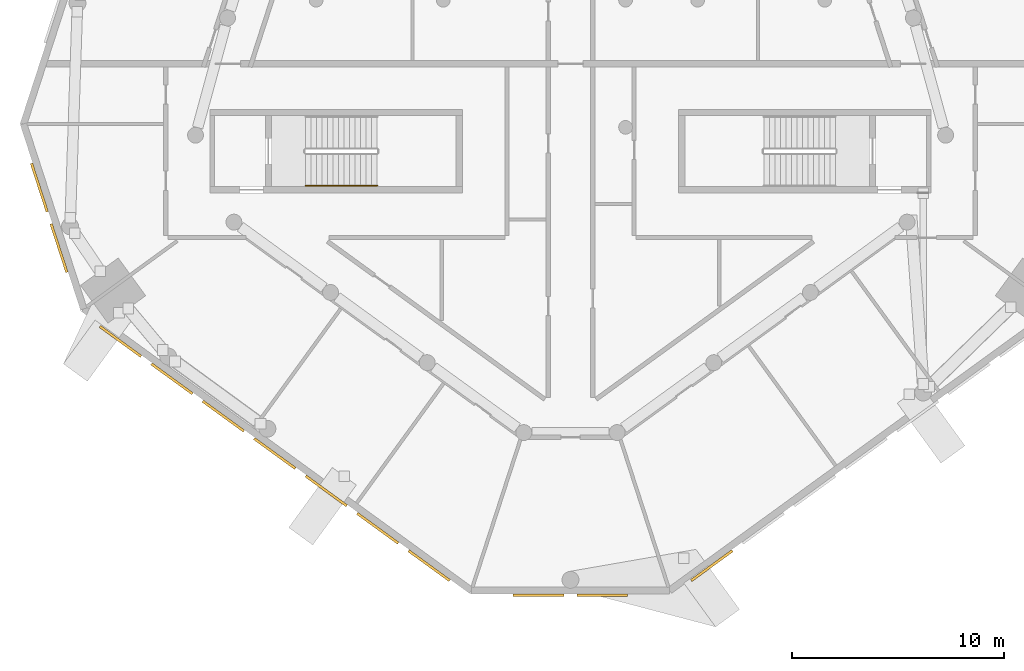
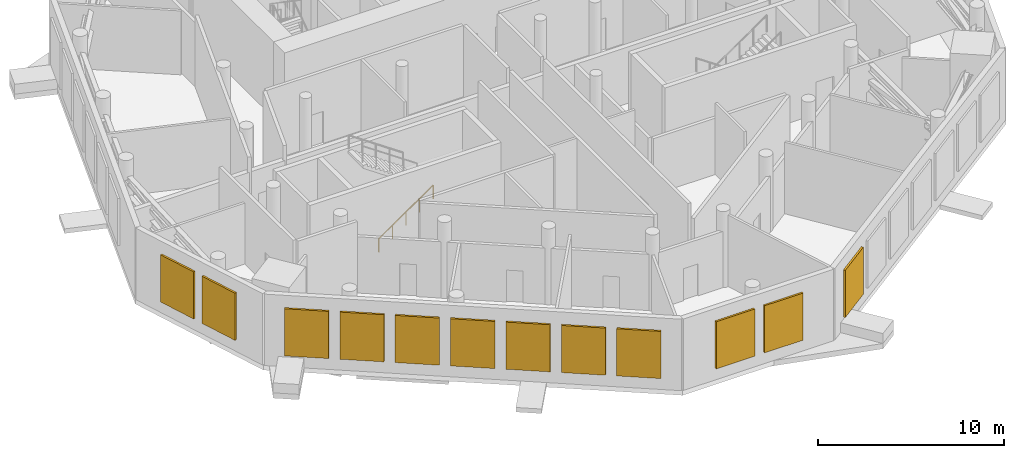
# One storey, part 11 of 15: 12 shading devices, 1 railing.
"""IFC4 building model written with IfcOpenShell, lengths in metres."""

from ifc_helpers import new_model, si_unit, direction, frame, origin, origin_2d, place, context, subcontext, project, spatial, rectangle, circle, extrude, material, type_object, element, save


model = new_model("IFC4")

# Units and contexts
model_context = context("Model", 3, precision=1e-05, world=origin(), true_north=direction((0.0, 1.0)))
body_context = subcontext(model_context, "Body", "Model", "MODEL_VIEW")
ifc_project = project(units=[si_unit("LENGTHUNIT", "METRE"), si_unit("AREAUNIT", "SQUARE_METRE"), si_unit("VOLUMEUNIT", "CUBIC_METRE"), si_unit("PLANEANGLEUNIT", "RADIAN"), si_unit("MASSUNIT", "GRAM", prefix="KILO")], contexts=[model_context])

# Site, building, storey
site_placement = place(None, origin())
site = spatial("IfcSite", under=ifc_project, at=site_placement, CompositionType="ELEMENT")
building_placement = place(site_placement, origin())
building = spatial("IfcBuilding", under=site, at=building_placement, Name="White Candle Pilgrim Tower", CompositionType="ELEMENT")
storey_placement = place(building_placement, frame((0.0, 0.0, 85.800048828125)))
storey = spatial("IfcBuildingStorey", under=building, at=storey_placement, Name="L18", CompositionType="ELEMENT", Elevation=85.800048828125)

# Shading devices
ifc_material_1 = material(Name="Aluminium", Category="aluminium")
shading_device_type = type_object("IfcShadingDeviceType", Name="Plant louvre LV2 2400x3100 aluminium framed", PredefinedType="USERDEFINED", material=ifc_material_1)
for number, where, z_axis, x_axis, name in (
    (1, (44.941650390625, 58.1572265625, 0.7998046875), (0.0, 0.0, 1.0), (0.309016971535, -0.951056523716, 0.0), "Plant louvre L18 W chamfer 1"),
    (2, (45.86865234375, 55.30419921875, 0.7998046875), (0.0, 0.0, 1.0), (0.309016971535, -0.951056523716, 0.0), "Plant louvre L18 W chamfer 2"),
    (3, (48.767822265625, 50.901123046875, 0.7998046875), (0.0, 0.0, 1.0), (0.809016998489, -0.58778524663, 0.0), "Plant louvre L18 SW 1"),
    (4, (51.195068359375, 49.1376953125, 0.7998046875), (0.0, 0.0, 1.0), (0.809016998489, -0.58778524663, 0.0), "Plant louvre L18 SW 2"),
    (5, (53.6220703125, 47.374267578125, 0.7998046875), (0.0, 0.0, 1.0), (0.809016998489, -0.58778524663, 0.0), "Plant louvre L18 SW 3"),
    (6, (56.049072265625, 45.61083984375, 0.7998046875), (0.0, 0.0, 1.0), (0.809016998489, -0.58778524663, 0.0), "Plant louvre L18 SW 4"),
    (7, (58.47607421875, 43.84765625, 0.7998046875), (0.0, 0.0, 1.0), (0.809016998489, -0.58778524663, 0.0), "Plant louvre L18 SW 5"),
    (8, (60.903076171875, 42.084228515625, 0.7998046875), (0.0, 0.0, 1.0), (0.809016998489, -0.58778524663, 0.0), "Plant louvre L18 SW 6"),
    (9, (63.330322265625, 40.32080078125, 0.7998046875), (0.0, 0.0, 1.0), (0.809016998489, -0.58778524663, 0.0), "Plant louvre L18 SW 7"),
    (10, (68.5, 38.92431640625, 0.7998046875), (0.0, 0.0, 1.0), (1.0, 0.0, 0.0), "Plant louvre L18 S chamfer 1"),
    (11, (71.5, 38.92431640625, 0.7998046875), (0.0, 0.0, 1.0), (1.0, 0.0, 0.0), "Plant louvre L18 S chamfer 2"),
    (12, (76.669677734375, 40.32080078125, 0.7998046875), (0.0, 0.0, 1.0), (0.809016998489, 0.58778524663, 0.0), "Plant louvre L18 SE 1"),
):
    element("IfcShadingDevice", number, at=place(storey_placement, frame(where, z_axis=z_axis, x_axis=x_axis)), inside=storey, type_object=shading_device_type, Name=name, ObjectType="LOUVRE", PredefinedType="USERDEFINED", context=body_context, shape_type="SweptSolid", body=[
        extrude(rectangle(XDim=2.39990234375, YDim=0.1201171875, at=origin_2d()), origin(), (0.0, 0.0, 1.0), 3.10009765625),
    ])

# Railing
ifc_material_2 = material(Name="Stainless steel", Category="steel")
railing_type = type_object("IfcRailingType", Name="Stair handrail stainless steel", PredefinedType="HANDRAIL", material=ifc_material_2)
railing_placement = place(storey_placement, frame((57.5, 58.25, 0.178466796875)))
element("IfcRailing", 13, at=railing_placement, inside=storey, type_object=railing_type, Name="L18 ST5 stair handrail 1", PredefinedType="HANDRAIL", context=body_context, shape_type="SweptSolid", body=[
    extrude(circle(Radius=0.02392578125, at=origin_2d()), frame((0.0, 0.0, 0.8759765625), z_axis=(0.824285065979, 0.0, 0.566174999451), x_axis=(0.0, 1.0, 0.0)), (0.0, 0.0, 1.0), 4.100341796875),
    extrude(circle(Radius=0.02099609375, at=origin_2d()), origin(), (0.0, 0.0, 1.0), 0.851806640625),
    extrude(circle(Radius=0.02099609375, at=origin_2d()), frame((0.844970703125, 0.0, 0.580322265625)), (0.0, 0.0, 1.0), 0.851806640625),
    extrude(circle(Radius=0.02099609375, at=origin_2d()), frame((1.68994140625, 0.0, 1.16064453125)), (0.0, 0.0, 1.0), 0.851806640625),
    extrude(circle(Radius=0.02099609375, at=origin_2d()), frame((2.534912109375, 0.0, 1.7412109375)), (0.0, 0.0, 1.0), 0.851806640625),
    extrude(circle(Radius=0.02099609375, at=origin_2d()), frame((3.3798828125, 0.0, 2.321533203125)), (0.0, 0.0, 1.0), 0.851806640625),
])

save(model, "model.ifc")
